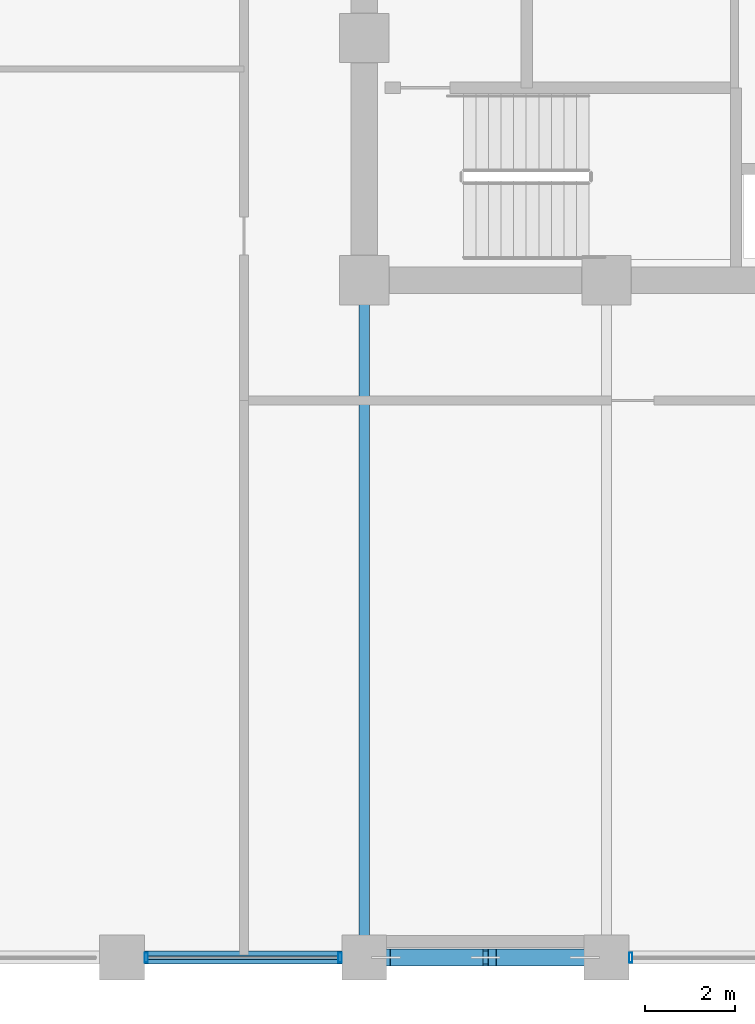
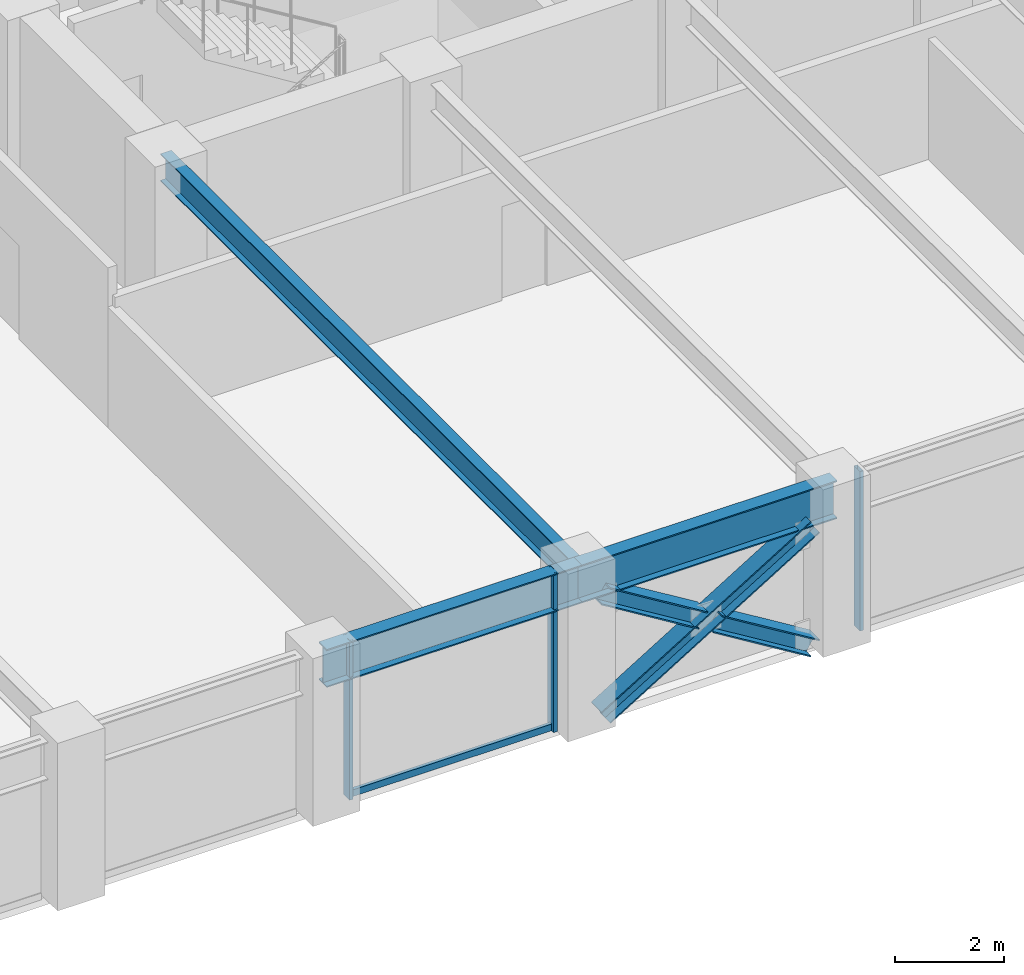
# One storey, part 4 of 26: 7 members, 3 beams, 2 elements without a shape of their own.
"""IFC4 building model written with IfcOpenShell, lengths in metres."""

from ifc_helpers import new_model, si_unit, direction, frame, origin, origin_2d, place, context, subcontext, project, spatial, hollow_rectangle, i_section, extrude, material, layer, layer_set, material_profile, profile_set, type_object, element, aggregate, save


model = new_model("IFC4")

# Units and contexts
model_context = context("Model", 3, precision=1e-05, world=origin(), true_north=direction((0.0, 1.0)))
body_context = subcontext(model_context, "Body", "Model", "MODEL_VIEW")
ifc_project = project(units=[si_unit("LENGTHUNIT", "METRE"), si_unit("AREAUNIT", "SQUARE_METRE"), si_unit("VOLUMEUNIT", "CUBIC_METRE"), si_unit("PLANEANGLEUNIT", "RADIAN"), si_unit("MASSUNIT", "GRAM", prefix="KILO")], contexts=[model_context])

# Site, building, storey
site_placement = place(None, origin())
site = spatial("IfcSite", under=ifc_project, at=site_placement, CompositionType="ELEMENT")
building_placement = place(site_placement, origin())
building = spatial("IfcBuilding", under=site, at=building_placement, Name="Surkhivell Harbour Commons", CompositionType="ELEMENT")
storey_placement = place(building_placement, frame((0.0, 0.0, 147.0)))
storey = spatial("IfcBuildingStorey", under=building, at=storey_placement, Name="L38", CompositionType="ELEMENT", Elevation=147.0)

# Beams
ifc_material_1 = material(Name="Steel S355", Category="steel")
ifc_material_profile_1 = material_profile(ifc_material_1, i_section(OverallWidth=0.22998046875, OverallDepth=0.616943359375, WebThickness=0.01318359375, FlangeThickness=0.022216796875, at=origin_2d()), Name="UB610x229x140")
ifc_profile_set_1 = profile_set([ifc_material_profile_1], Name="Steel S355")
beam_type_1 = type_object("IfcBeamType", Name="BM-GRD-610B", PredefinedType="BEAM", material=ifc_profile_set_1)
beam_1_placement = place(storey_placement, frame((-10.800048828125, -25.89990234375, 3.261474609375), z_axis=(0.0, 1.0, 0.0), x_axis=(-1.0, 0.0, 0.0)))
element("IfcBeam", 1, at=beam_1_placement, inside=storey, type_object=beam_type_1, Name="L38 Floor Girder (-10.8,-25.9)", PredefinedType="BEAM", context=body_context, shape_type="SweptSolid", body=[
    extrude(i_section(OverallWidth=0.22998046875, OverallDepth=0.616943359375, WebThickness=0.01318359375, FlangeThickness=0.022216796875, at=origin_2d()), origin(), (0.0, 0.0, 1.0), 15.099853515625),
])
ifc_material_2 = material(Name="Steel S460", Category="steel")
ifc_material_profile_2 = material_profile(ifc_material_2, i_section(OverallWidth=0.2939453125, OverallDepth=0.85107421875, WebThickness=0.01611328125, FlangeThickness=0.02685546875, at=origin_2d()), Name="UB838x292x226")
ifc_profile_set_2 = profile_set([ifc_material_profile_2], Name="Steel S460")
beam_type_2 = type_object("IfcBeamType", Name="BM-SPN-838", PredefinedType="SPANDREL", material=ifc_profile_set_2)
beam_2_placement = place(storey_placement, frame((-16.199951171875, -25.89990234375, 3.14453125), z_axis=(1.0, 0.0, 0.0), x_axis=(0.0, 1.0, 0.0)))
element("IfcBeam", 2, at=beam_2_placement, inside=storey, type_object=beam_type_2, Name="L38 Tube Spandrel (-16.2,-25.9)", PredefinedType="SPANDREL", context=body_context, shape_type="SweptSolid", body=[
    extrude(i_section(OverallWidth=0.2939453125, OverallDepth=0.85107421875, WebThickness=0.01611328125, FlangeThickness=0.02685546875, at=origin_2d()), origin(), (0.0, 0.0, 1.0), 5.39990234375),
])
beam_3_placement = place(storey_placement, frame((-10.800048828125, -25.89990234375, 3.14453125), z_axis=(1.0, 0.0, 0.0), x_axis=(0.0, 1.0, 0.0)))
element("IfcBeam", 3, at=beam_3_placement, inside=storey, type_object=beam_type_2, Name="L38 Tube Spandrel (-10.8,-25.9)", PredefinedType="SPANDREL", context=body_context, shape_type="SweptSolid", body=[
    extrude(i_section(OverallWidth=0.2939453125, OverallDepth=0.85107421875, WebThickness=0.01611328125, FlangeThickness=0.02685546875, at=origin_2d()), origin(), (0.0, 0.0, 1.0), 5.400146484375),
])

# Curtain wall, members
ifc_material_3 = material(Name="Anodised pale-metal aluminium and insulated glazing", Category="aluminium")
ifc_layer = layer(ifc_material_3, 0.205078125)
ifc_layer_set = layer_set([ifc_layer], Name="Anodised pale-metal aluminium and insulated glazing")
curtain_wall_type = type_object("IfcCurtainWallType", Name="CW-SYS-Z2", PredefinedType="NOTDEFINED", material=ifc_layer_set)
curtain_wall_1_placement = place(storey_placement, origin())
curtain_wall_1 = element("IfcCurtainWall", 4, at=curtain_wall_1_placement, inside=storey, type_object=curtain_wall_type, Name="L38 Curtain Wall CW-L38-E00S1", PredefinedType="NOTDEFINED")
ifc_material_4 = material(Name="Anodised pale-metal aluminium alloy 6063-T6", Category="aluminium")
ifc_material_profile_3 = material_profile(ifc_material_4, hollow_rectangle(XDim=0.074951171875, YDim=0.219970703125, WallThickness=0.00390625, at=origin_2d()), Name="ALU-MULL-75x220")
ifc_profile_set_3 = profile_set([ifc_material_profile_3], Name="Anodised pale-metal aluminium alloy 6063-T6")
member_type_1 = type_object("IfcMemberType", Name="CWM-220", PredefinedType="MULLION", material=ifc_profile_set_3)
member_1_placement = place(storey_placement, frame((-15.660400390625, -25.89990234375, 0.0), z_axis=(0.0, 0.0, 1.0), x_axis=(1.0, 0.0, 0.0)))
member_1 = element("IfcMember", 5, at=member_1_placement, type_object=member_type_1, Name="CW-Z2 mullion 3", PredefinedType="MULLION", context=body_context, shape_type="SweptSolid", body=[
    extrude(hollow_rectangle(XDim=0.074951171875, YDim=0.219970703125, WallThickness=0.00390625, at=origin_2d()), origin(), (0.0, 0.0, 1.0), 3.570068359375),
])
member_2_placement = place(storey_placement, frame((-11.339599609375, -25.89990234375, 0.0), z_axis=(0.0, 0.0, 1.0), x_axis=(1.0, 0.0, 0.0)))
member_2 = element("IfcMember", 6, at=member_2_placement, type_object=member_type_1, Name="CW-Z2 mullion 4", PredefinedType="MULLION", context=body_context, shape_type="SweptSolid", body=[
    extrude(hollow_rectangle(XDim=0.074951171875, YDim=0.219970703125, WallThickness=0.00390625, at=origin_2d()), origin(), (0.0, 0.0, 1.0), 3.570068359375),
])

# Curtain wall, member
curtain_wall_2_placement = place(storey_placement, origin())
curtain_wall_2 = element("IfcCurtainWall", 7, at=curtain_wall_2_placement, inside=storey, type_object=curtain_wall_type, Name="L38 Curtain Wall CW-L38-E00S2", PredefinedType="NOTDEFINED")
member_3_placement = place(storey_placement, frame((-4.860595703125, -25.89990234375, 0.0), z_axis=(0.0, 0.0, 1.0), x_axis=(1.0, 0.0, 0.0)))
member_3 = element("IfcMember", 8, at=member_3_placement, type_object=member_type_1, Name="CW-Z2 mullion 1", PredefinedType="MULLION", context=body_context, shape_type="SweptSolid", body=[
    extrude(hollow_rectangle(XDim=0.074951171875, YDim=0.219970703125, WallThickness=0.00390625, at=origin_2d()), origin(), (0.0, 0.0, 1.0), 3.570068359375),
])
aggregate(curtain_wall_2, [member_3])

# Member
ifc_material_profile_4 = material_profile(ifc_material_4, hollow_rectangle(XDim=0.074951171875, YDim=0.14990234375, WallThickness=0.00341796875, at=origin_2d()), Name="ALU-TRAN-75x150")
ifc_profile_set_4 = profile_set([ifc_material_profile_4], Name="Anodised pale-metal aluminium alloy 6063-T6")
member_type_2 = type_object("IfcMemberType", Name="CWT-150", PredefinedType="USERDEFINED", material=ifc_profile_set_4)
member_4_placement = place(storey_placement, frame((-15.623046875, -25.89990234375, 0.074951171875), z_axis=(1.0, 0.0, 0.0), x_axis=(0.0, 1.0, 0.0)))
member_4 = element("IfcMember", 9, at=member_4_placement, type_object=member_type_2, Name="CW-Z2 transom 3.1", ObjectType="TRANSOM", PredefinedType="USERDEFINED", context=body_context, shape_type="SweptSolid", body=[
    extrude(hollow_rectangle(XDim=0.074951171875, YDim=0.14990234375, WallThickness=0.00341796875, at=origin_2d()), origin(), (0.0, 0.0, 1.0), 4.24609375),
])

aggregate(curtain_wall_1, [member_1, member_2, member_4])

# Members
ifc_material_profile_5 = material_profile(ifc_material_2, i_section(OverallWidth=0.375, OverallDepth=0.375, WebThickness=0.0166015625, FlangeThickness=0.027099609375, at=origin_2d()), Name="UC356x368x202")
ifc_profile_set_5 = profile_set([ifc_material_profile_5], Name="Steel S460")
member_type_3 = type_object("IfcMemberType", Name="MEM-BRC-UC356", PredefinedType="BRACE", material=ifc_profile_set_5)
member_5_placement = place(storey_placement, frame((-10.31494140625, -25.89990234375, 0.008056640625), z_axis=(0.852624888477, 0.0, 0.522523491864), x_axis=(0.0, 1.0, 0.0)))
element("IfcMember", 10, at=member_5_placement, inside=storey, type_object=member_type_3, Name="L38 Perimeter Mega-Brace MB- 07", PredefinedType="BRACE", context=body_context, shape_type="SweptSolid", body=[
    extrude(i_section(OverallWidth=0.375, OverallDepth=0.375, WebThickness=0.0166015625, FlangeThickness=0.027099609375, at=origin_2d()), origin(), (0.0, 0.0, 1.0), 5.195556640625),
])
member_6_placement = place(storey_placement, frame((-5.885009765625, -25.89990234375, 0.008056640625), z_axis=(-0.852617215241, 0.0, 0.52253601242), x_axis=(0.0, -1.0, 0.0)))
element("IfcMember", 11, at=member_6_placement, inside=storey, type_object=member_type_3, Name="L38 Perimeter Mega-Brace MB- 08", PredefinedType="BRACE", context=body_context, shape_type="SweptSolid", body=[
    extrude(i_section(OverallWidth=0.375, OverallDepth=0.375, WebThickness=0.0166015625, FlangeThickness=0.027099609375, at=origin_2d()), origin(), (0.0, 0.0, 1.0), 2.41796875),
])
member_7_placement = place(storey_placement, frame((-8.25341796875, -25.89990234375, 1.459716796875), z_axis=(-0.852662200332, 0.0, 0.522462603567), x_axis=(0.0, -1.0, 0.0)))
element("IfcMember", 12, at=member_7_placement, inside=storey, type_object=member_type_3, Name="L38 Perimeter Mega-Brace MB- 09", PredefinedType="BRACE", context=body_context, shape_type="SweptSolid", body=[
    extrude(i_section(OverallWidth=0.375, OverallDepth=0.375, WebThickness=0.0166015625, FlangeThickness=0.027099609375, at=origin_2d()), origin(), (0.0, 0.0, 1.0), 2.417724609375),
])

save(model, "model.ifc")
